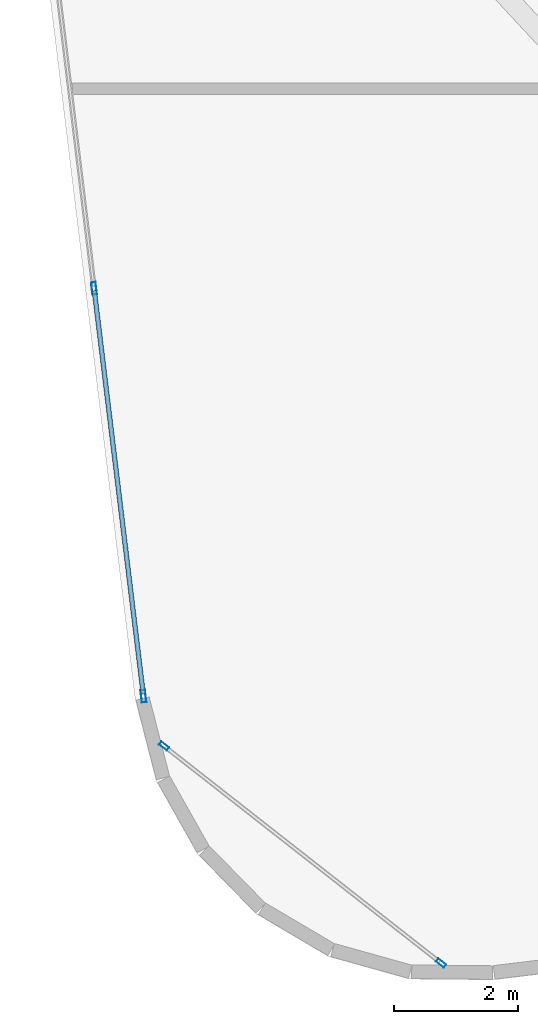
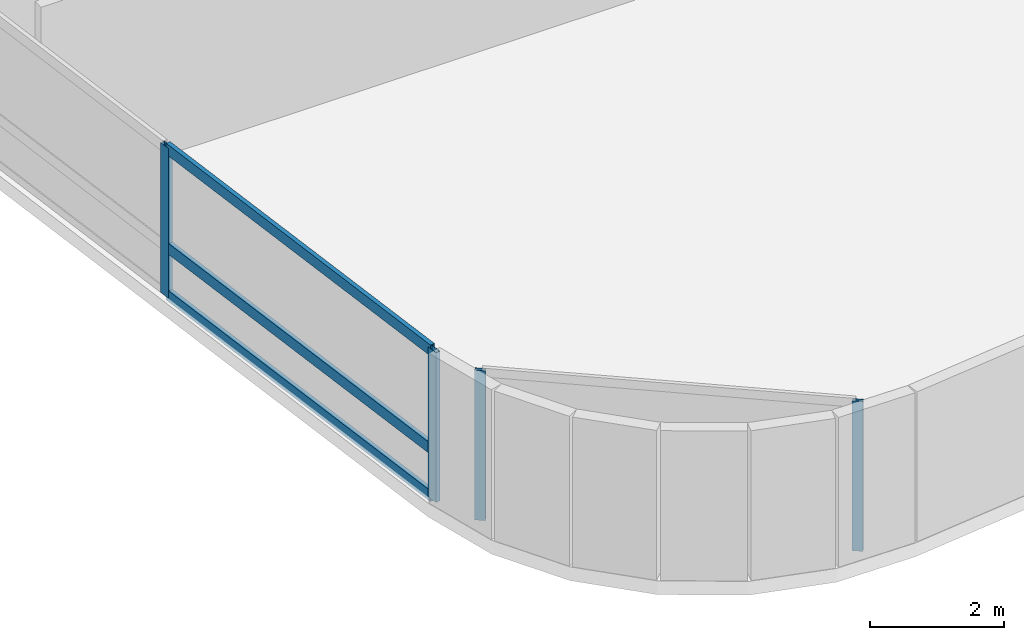
# One storey, part 2 of 23: 7 members, 2 elements without a shape of their own.
"""IFC4 building model written with IfcOpenShell, lengths in metres."""

from ifc_helpers import new_model, si_unit, direction, frame, origin, origin_2d, place, context, subcontext, project, spatial, hollow_rectangle, extrude, material, layer, layer_set, material_profile, profile_set, type_object, element, aggregate, save


model = new_model("IFC4")

# Units and contexts
model_context = context("Model", 3, precision=1e-05, world=origin(), true_north=direction((0.0, 1.0)))
body_context = subcontext(model_context, "Body", "Model", "MODEL_VIEW")
ifc_project = project(units=[si_unit("LENGTHUNIT", "METRE"), si_unit("AREAUNIT", "SQUARE_METRE"), si_unit("VOLUMEUNIT", "CUBIC_METRE"), si_unit("PLANEANGLEUNIT", "RADIAN"), si_unit("MASSUNIT", "GRAM", prefix="KILO")], contexts=[model_context])

# Site, building, storey
site_placement = place(None, origin())
site = spatial("IfcSite", under=ifc_project, at=site_placement, CompositionType="ELEMENT")
building_placement = place(site_placement, origin())
building = spatial("IfcBuilding", under=site, at=building_placement, Name="Varnelok Gate Tower", CompositionType="ELEMENT")
storey_placement = place(building_placement, frame((0.0, 0.0, 182.0)))
storey = spatial("IfcBuildingStorey", under=building, at=storey_placement, Name="L46", CompositionType="ELEMENT", Elevation=182.0)

# Curtain wall, members
ifc_material = material(Name="Anodized Aluminum Alloy 6063-T6", Category="aluminium")
ifc_layer_1 = layer(ifc_material, 0.179931640625)
ifc_layer_set_1 = layer_set([ifc_layer_1], Name="Anodized Aluminum Alloy 6063-T6")
curtain_wall_type_1 = type_object("IfcCurtainWallType", Name="CW5-WINDCORNER-GLAZ", PredefinedType="USERDEFINED", material=ifc_layer_set_1)
curtain_wall_1_placement = place(storey_placement, origin())
curtain_wall_1 = element("IfcCurtainWall", 1, at=curtain_wall_1_placement, inside=storey, type_object=curtain_wall_type_1, Name="L46 Wind-Shaped Corner Curtain Wall SW", ObjectType="STRUCTURAL GLAZING", PredefinedType="USERDEFINED")
ifc_material_profile_1 = material_profile(ifc_material, hollow_rectangle(XDim=0.06494140625, YDim=0.159912109375, WallThickness=0.00390625, at=origin_2d()), Name="ALU160X65X4")
ifc_profile_set_1 = profile_set([ifc_material_profile_1], Name="Anodized Aluminum Alloy 6063-T6")
member_type_1 = type_object("IfcMemberType", Name="CW-MULL-160", PredefinedType="MULLION", material=ifc_profile_set_1)
member_1_placement = place(storey_placement, frame((6.63330078125, 3.720947265625, 0.0), z_axis=(0.0, 0.0, 1.0), x_axis=(0.616862756615, 0.787070733481, 0.0)))
member_1 = element("IfcMember", 2, at=member_1_placement, type_object=member_type_1, Name="CW5 mullion 1", PredefinedType="MULLION", context=body_context, shape_type="SweptSolid", body=[
    extrude(hollow_rectangle(XDim=0.06494140625, YDim=0.159912109375, WallThickness=0.00390625, at=origin_2d()), origin(), (0.0, 0.0, 1.0), 2.72998046875),
])
member_2_placement = place(storey_placement, frame((11.1123046875, 0.21044921875, 0.0), z_axis=(0.0, 0.0, 1.0), x_axis=(0.616862756615, 0.787070733481, 0.0)))
member_2 = element("IfcMember", 3, at=member_2_placement, type_object=member_type_1, Name="CW5 mullion 2", PredefinedType="MULLION", context=body_context, shape_type="SweptSolid", body=[
    extrude(hollow_rectangle(XDim=0.06494140625, YDim=0.159912109375, WallThickness=0.00390625, at=origin_2d()), origin(), (0.0, 0.0, 1.0), 2.72998046875),
])
aggregate(curtain_wall_1, [member_1, member_2])

ifc_layer_2 = layer(ifc_material, 0.179931640625)
ifc_layer_set_2 = layer_set([ifc_layer_2], Name="Anodized Aluminum Alloy 6063-T6")
curtain_wall_type_2 = type_object("IfcCurtainWallType", Name="CW4-RESIDENCE-VISION", PredefinedType="USERDEFINED", material=ifc_layer_set_2)
curtain_wall_2_placement = place(storey_placement, origin())
curtain_wall_2 = element("IfcCurtainWall", 4, at=curtain_wall_2_placement, inside=storey, type_object=curtain_wall_type_2, Name="L46 West End Vision Curtain Wall", ObjectType="UNITISED CURTAIN WALL", PredefinedType="USERDEFINED")
ifc_material_profile_2 = material_profile(ifc_material, hollow_rectangle(XDim=0.074951171875, YDim=0.199951171875, WallThickness=0.00390625, at=origin_2d()), Name="ALU200X75X4")
ifc_profile_set_2 = profile_set([ifc_material_profile_2], Name="Anodized Aluminum Alloy 6063-T6")
member_type_2 = type_object("IfcMemberType", Name="CW-MULL-200", PredefinedType="MULLION", material=ifc_profile_set_2)
member_3_placement = place(storey_placement, frame((6.30078125, 4.52734375, 0.0), z_axis=(0.0, 0.0, 1.0), x_axis=(-0.992732188751, -0.120344511371, 0.0)))
member_3 = element("IfcMember", 5, at=member_3_placement, type_object=member_type_2, Name="CW4 mullion 1", PredefinedType="MULLION", context=body_context, shape_type="SweptSolid", body=[
    extrude(hollow_rectangle(XDim=0.074951171875, YDim=0.199951171875, WallThickness=0.00390625, at=origin_2d()), origin(), (0.0, 0.0, 1.0), 2.72998046875),
])
member_4_placement = place(storey_placement, frame((5.50146484375, 11.12158203125, 0.0), z_axis=(0.0, 0.0, 1.0), x_axis=(-0.992732188751, -0.120344511371, 0.0)))
member_4 = element("IfcMember", 6, at=member_4_placement, type_object=member_type_2, Name="CW4 mullion 2", PredefinedType="MULLION", context=body_context, shape_type="SweptSolid", body=[
    extrude(hollow_rectangle(XDim=0.074951171875, YDim=0.199951171875, WallThickness=0.00390625, at=origin_2d()), origin(), (0.0, 0.0, 1.0), 2.72998046875),
])
ifc_material_profile_3 = material_profile(ifc_material, hollow_rectangle(XDim=0.074951171875, YDim=0.199951171875, WallThickness=0.00390625, at=origin_2d()), Name="ALU200X75X4")
ifc_profile_set_3 = profile_set([ifc_material_profile_3], Name="Anodized Aluminum Alloy 6063-T6")
member_type_3 = type_object("IfcMemberType", Name="CW-TRAN-200", PredefinedType="USERDEFINED", material=ifc_profile_set_3)
member_5_placement = place(storey_placement, frame((6.29638671875, 4.564453125, 0.03759765625), z_axis=(-0.120369113246, 0.992729206066, 0.0), x_axis=(-0.992729206066, -0.120369113246, 0.0)))
member_5 = element("IfcMember", 7, at=member_5_placement, type_object=member_type_3, Name="CW4 transom 1.1", ObjectType="TRANSOM", PredefinedType="USERDEFINED", context=body_context, shape_type="SweptSolid", body=[
    extrude(hollow_rectangle(XDim=0.074951171875, YDim=0.199951171875, WallThickness=0.00390625, at=origin_2d()), origin(), (0.0, 0.0, 1.0), 6.567626953125),
])
member_6_placement = place(storey_placement, frame((6.29638671875, 4.564453125, 0.89990234375), z_axis=(-0.120369113246, 0.992729206066, 0.0), x_axis=(-0.992729206066, -0.120369113246, 0.0)))
member_6 = element("IfcMember", 8, at=member_6_placement, type_object=member_type_3, Name="CW4 transom 1.2", ObjectType="TRANSOM", PredefinedType="USERDEFINED", context=body_context, shape_type="SweptSolid", body=[
    extrude(hollow_rectangle(XDim=0.074951171875, YDim=0.199951171875, WallThickness=0.00390625, at=origin_2d()), origin(), (0.0, 0.0, 1.0), 6.567626953125),
])
member_7_placement = place(storey_placement, frame((6.29638671875, 4.564453125, 2.6923828125), z_axis=(-0.120369113246, 0.992729206066, 0.0), x_axis=(-0.992729206066, -0.120369113246, 0.0)))
member_7 = element("IfcMember", 9, at=member_7_placement, type_object=member_type_3, Name="CW4 transom 1.3", ObjectType="TRANSOM", PredefinedType="USERDEFINED", context=body_context, shape_type="SweptSolid", body=[
    extrude(hollow_rectangle(XDim=0.074951171875, YDim=0.199951171875, WallThickness=0.00390625, at=origin_2d()), origin(), (0.0, 0.0, 1.0), 6.567626953125),
])
aggregate(curtain_wall_2, [member_3, member_4, member_5, member_6, member_7])

save(model, "model.ifc")
